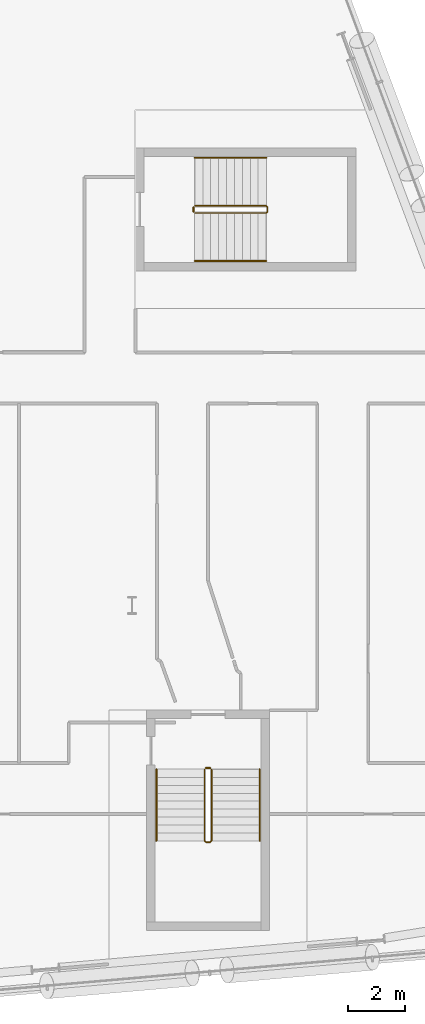
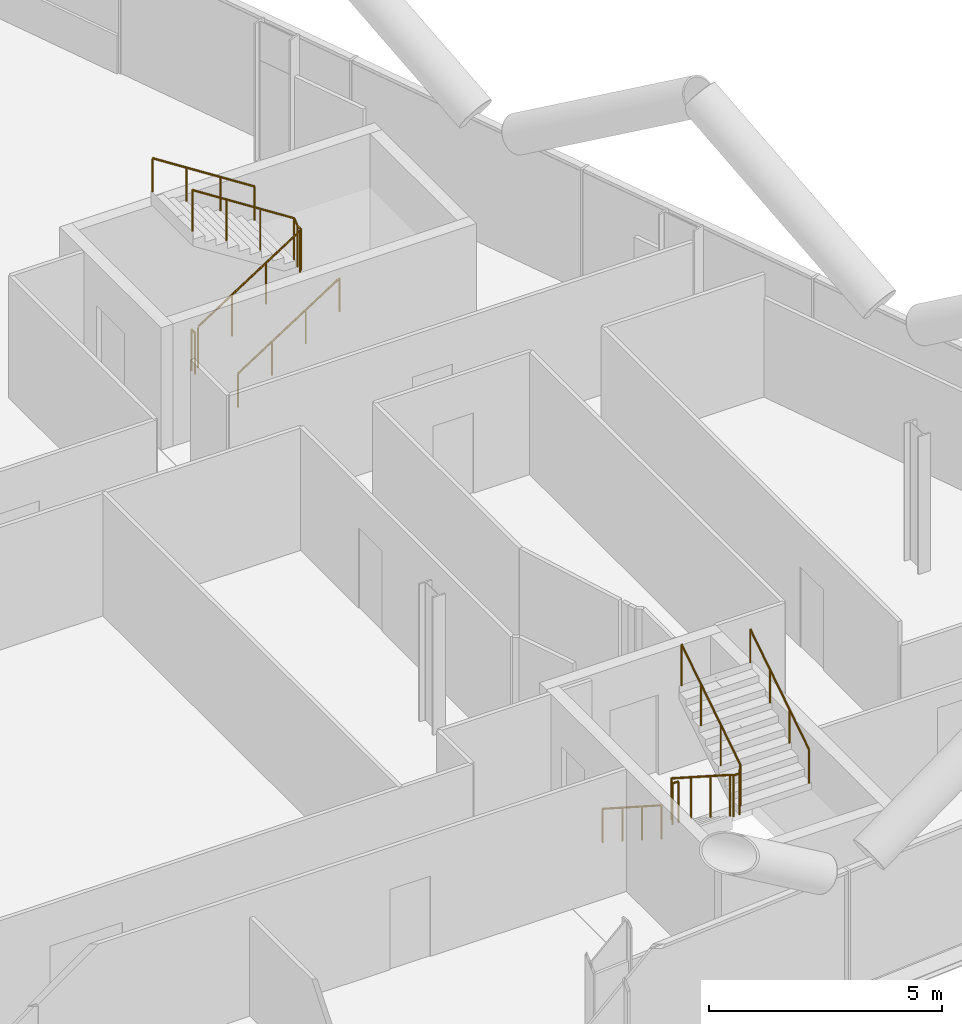
# One storey, part 27 of 27: 8 railings.
"""IFC4 building model written with IfcOpenShell, lengths in metres."""

from ifc_helpers import new_model, si_unit, direction, frame, origin, origin_2d, place, context, subcontext, project, spatial, circle, extrude, material, type_object, element, save


model = new_model("IFC4")

# Units and contexts
model_context = context("Model", 3, precision=1e-05, world=origin(), true_north=direction((0.0, 1.0)))
body_context = subcontext(model_context, "Body", "Model", "MODEL_VIEW")
ifc_project = project(units=[si_unit("LENGTHUNIT", "METRE"), si_unit("AREAUNIT", "SQUARE_METRE"), si_unit("VOLUMEUNIT", "CUBIC_METRE"), si_unit("PLANEANGLEUNIT", "RADIAN"), si_unit("MASSUNIT", "GRAM", prefix="KILO")], contexts=[model_context])

# Site, building, storey
site_placement = place(None, origin())
site = spatial("IfcSite", under=ifc_project, at=site_placement, CompositionType="ELEMENT")
building_placement = place(site_placement, origin())
building = spatial("IfcBuilding", under=site, at=building_placement, Name="Wharfspan Tower", CompositionType="ELEMENT")
storey_placement = place(building_placement, frame((0.0, 0.0, 55.899902)))
storey = spatial("IfcBuildingStorey", under=building, at=storey_placement, Name="L10", CompositionType="ELEMENT", Elevation=55.899902)

# Railings
ifc_material = material(Name="Steel S355J2", Category="steel")
railing_type_1 = type_object("IfcRailingType", Name="Stair guard 1100", PredefinedType="GUARDRAIL", material=ifc_material)
railing_1_placement = place(storey_placement, frame((74.567383, 5.691895, 0.180176)))
element("IfcRailing", 1, at=railing_1_placement, inside=storey, type_object=railing_type_1, Name="L10 ST5 stair guard 1", PredefinedType="GUARDRAIL", context=body_context, shape_type="SweptSolid", body=[
    extrude(circle(Radius=0.023926, at=origin_2d()), frame((0.0, 0.0, 1.076172), z_axis=(0.0, -0.841176, 0.540762), x_axis=(1.0, 0.0, 0.0)), (0.0, 0.0, 1.0), 2.995605),
    extrude(circle(Radius=0.023926, at=origin_2d()), frame((0.0, -2.519775, 2.695801), z_axis=(0.707107, -0.707107, 0.0), x_axis=(0.707107, 0.707107, 0.0)), (0.0, 0.0, 1.0), 0.070801),
    extrude(circle(Radius=0.023926, at=origin_2d()), frame((0.050049, -2.569824, 2.695801), z_axis=(1.0, 0.0, 0.0), x_axis=(0.0, 1.0, 0.0)), (0.0, 0.0, 1.0), 0.150146),
    extrude(circle(Radius=0.023926, at=origin_2d()), frame((0.200195, -2.569824, 2.695801), z_axis=(0.257669, 0.258932, 0.930892), x_axis=(-0.708833, 0.705372, 1e-06)), (0.0, 0.0, 1.0), 0.193359),
    extrude(circle(Radius=0.023926, at=origin_2d()), frame((0.25, -2.519775, 2.875977), z_axis=(0.0, 0.841139, 0.540819), x_axis=(-1.0, 0.0, 0.0)), (0.0, 0.0, 1.0), 2.995605),
    extrude(circle(Radius=0.020996, at=origin_2d()), origin(), (0.0, 0.0, 1.0), 1.052002),
    extrude(circle(Radius=0.020996, at=origin_2d()), frame((0.0, -0.839844, 0.540039)), (0.0, 0.0, 1.0), 1.052002),
    extrude(circle(Radius=0.020996, at=origin_2d()), frame((0.0, -1.679932, 1.079834)), (0.0, 0.0, 1.0), 1.052002),
    extrude(circle(Radius=0.020996, at=origin_2d()), frame((0.0, -2.519775, 1.619873)), (0.0, 0.0, 1.0), 1.052002),
    extrude(circle(Radius=0.020996, at=origin_2d()), frame((0.050049, -2.569824, 1.619873)), (0.0, 0.0, 1.0), 1.052002),
    extrude(circle(Radius=0.020996, at=origin_2d()), frame((0.200195, -2.569824, 1.619873)), (0.0, 0.0, 1.0), 1.052002),
    extrude(circle(Radius=0.020996, at=origin_2d()), frame((0.25, -2.519775, 1.799805)), (0.0, 0.0, 1.0), 1.052002),
    extrude(circle(Radius=0.020996, at=origin_2d()), frame((0.25, -1.679932, 2.339844)), (0.0, 0.0, 1.0), 1.052002),
    extrude(circle(Radius=0.020996, at=origin_2d()), frame((0.25, -0.839844, 2.879883)), (0.0, 0.0, 1.0), 1.052002),
    extrude(circle(Radius=0.020996, at=origin_2d()), frame((0.25, 0.0, 3.419922)), (0.0, 0.0, 1.0), 1.052002),
])
railing_2_placement = place(storey_placement, frame((74.617432, 5.741943, 0.0)))
element("IfcRailing", 2, at=railing_2_placement, inside=storey, type_object=railing_type_1, Name="L10 ST5 stair guard 2", PredefinedType="GUARDRAIL", context=body_context, shape_type="SweptSolid", body=[
    extrude(circle(Radius=0.023926, at=origin_2d()), frame((0.0, 0.0, 1.076172), z_axis=(1.0, 0.0, 0.0), x_axis=(0.0, 1.0, 0.0)), (0.0, 0.0, 1.0), 0.150146),
    extrude(circle(Radius=0.020996, at=origin_2d()), origin(), (0.0, 0.0, 1.0), 1.052002),
    extrude(circle(Radius=0.020996, at=origin_2d()), frame((0.150146, 0.0, 0.0)), (0.0, 0.0, 1.0), 1.052002),
])
railing_3_placement = place(storey_placement, frame((74.225098, 25.375, 0.180176)))
element("IfcRailing", 3, at=railing_3_placement, inside=storey, type_object=railing_type_1, Name="L10 ST6 stair guard 1", PredefinedType="GUARDRAIL", context=body_context, shape_type="SweptSolid", body=[
    extrude(circle(Radius=0.023926, at=origin_2d()), frame((0.0, 0.0, 1.076172), z_axis=(0.8412, 0.0, 0.540725), x_axis=(0.0, 1.0, 0.0)), (0.0, 0.0, 1.0), 2.99585),
    extrude(circle(Radius=0.023926, at=origin_2d()), frame((2.52002, 0.0, 2.695801), z_axis=(0.705376, 0.708834, 0.0), x_axis=(-0.708834, 0.705376, 0.0)), (0.0, 0.0, 1.0), 0.070557),
    extrude(circle(Radius=0.023926, at=origin_2d()), frame((2.569824, 0.050049, 2.695801), z_axis=(0.0, 1.0, 0.0), x_axis=(-1.0, 0.0, 0.0)), (0.0, 0.0, 1.0), 0.149902),
    extrude(circle(Radius=0.023926, at=origin_2d()), frame((2.569824, 0.199951, 2.695801), z_axis=(-0.257669, 0.258932, 0.930892), x_axis=(-0.708833, -0.705372, -1e-06)), (0.0, 0.0, 1.0), 0.193359),
    extrude(circle(Radius=0.023926, at=origin_2d()), frame((2.52002, 0.25, 2.875977), z_axis=(-0.841163, 0.0, 0.540782), x_axis=(0.0, -1.0, 0.0)), (0.0, 0.0, 1.0), 2.99585),
    extrude(circle(Radius=0.020996, at=origin_2d()), origin(), (0.0, 0.0, 1.0), 1.052002),
    extrude(circle(Radius=0.020996, at=origin_2d()), frame((0.840088, 0.0, 0.540039)), (0.0, 0.0, 1.0), 1.052002),
    extrude(circle(Radius=0.020996, at=origin_2d()), frame((1.679932, 0.0, 1.079834)), (0.0, 0.0, 1.0), 1.052002),
    extrude(circle(Radius=0.020996, at=origin_2d()), frame((2.52002, 0.0, 1.619873)), (0.0, 0.0, 1.0), 1.052002),
    extrude(circle(Radius=0.020996, at=origin_2d()), frame((2.569824, 0.050049, 1.619873)), (0.0, 0.0, 1.0), 1.052002),
    extrude(circle(Radius=0.020996, at=origin_2d()), frame((2.569824, 0.199951, 1.619873)), (0.0, 0.0, 1.0), 1.052002),
    extrude(circle(Radius=0.020996, at=origin_2d()), frame((2.52002, 0.25, 1.799805)), (0.0, 0.0, 1.0), 1.052002),
    extrude(circle(Radius=0.020996, at=origin_2d()), frame((1.679932, 0.25, 2.339844)), (0.0, 0.0, 1.0), 1.052002),
    extrude(circle(Radius=0.020996, at=origin_2d()), frame((0.840088, 0.25, 2.879883)), (0.0, 0.0, 1.0), 1.052002),
    extrude(circle(Radius=0.020996, at=origin_2d()), frame((0.0, 0.25, 3.419922)), (0.0, 0.0, 1.0), 1.052002),
])
railing_4_placement = place(storey_placement, frame((74.175049, 25.425049, 0.0)))
element("IfcRailing", 4, at=railing_4_placement, inside=storey, type_object=railing_type_1, Name="L10 ST6 stair guard 2", PredefinedType="GUARDRAIL", context=body_context, shape_type="SweptSolid", body=[
    extrude(circle(Radius=0.023926, at=origin_2d()), frame((0.0, 0.0, 1.076172), z_axis=(0.0, 1.0, 0.0), x_axis=(-1.0, 0.0, 0.0)), (0.0, 0.0, 1.0), 0.149902),
    extrude(circle(Radius=0.020996, at=origin_2d()), origin(), (0.0, 0.0, 1.0), 1.052002),
    extrude(circle(Radius=0.020996, at=origin_2d()), frame((0.0, 0.149902, 0.0)), (0.0, 0.0, 1.0), 1.052002),
])
railing_type_2 = type_object("IfcRailingType", Name="Stair handrail 900", PredefinedType="HANDRAIL", material=ifc_material)
railing_5_placement = place(storey_placement, frame((72.867432, 5.691895, 0.180176)))
element("IfcRailing", 5, at=railing_5_placement, inside=storey, type_object=railing_type_2, Name="L10 ST5 stair handrail 1", PredefinedType="HANDRAIL", context=body_context, shape_type="SweptSolid", body=[
    extrude(circle(Radius=0.023926, at=origin_2d()), frame((0.0, 0.0, 0.875977), z_axis=(0.0, -0.841176, 0.540762), x_axis=(1.0, 0.0, 0.0)), (0.0, 0.0, 1.0), 2.995605),
    extrude(circle(Radius=0.020996, at=origin_2d()), origin(), (0.0, 0.0, 1.0), 0.851807),
    extrude(circle(Radius=0.020996, at=origin_2d()), frame((0.0, -0.839844, 0.540039)), (0.0, 0.0, 1.0), 0.851807),
    extrude(circle(Radius=0.020996, at=origin_2d()), frame((0.0, -1.679932, 1.079834)), (0.0, 0.0, 1.0), 0.851807),
    extrude(circle(Radius=0.020996, at=origin_2d()), frame((0.0, -2.519775, 1.619873)), (0.0, 0.0, 1.0), 0.851807),
])
railing_6_placement = place(storey_placement, frame((76.517578, 3.172119, 1.97998)))
element("IfcRailing", 6, at=railing_6_placement, inside=storey, type_object=railing_type_2, Name="L10 ST5 stair handrail 2", PredefinedType="HANDRAIL", context=body_context, shape_type="SweptSolid", body=[
    extrude(circle(Radius=0.023926, at=origin_2d()), frame((0.0, 0.0, 0.875977), z_axis=(0.0, 0.841139, 0.540819), x_axis=(-1.0, 0.0, 0.0)), (0.0, 0.0, 1.0), 2.995605),
    extrude(circle(Radius=0.020996, at=origin_2d()), origin(), (0.0, 0.0, 1.0), 0.851807),
    extrude(circle(Radius=0.020996, at=origin_2d()), frame((0.0, 0.839844, 0.540039)), (0.0, 0.0, 1.0), 0.851807),
    extrude(circle(Radius=0.020996, at=origin_2d()), frame((0.0, 1.679932, 1.080078)), (0.0, 0.0, 1.0), 0.851807),
    extrude(circle(Radius=0.020996, at=origin_2d()), frame((0.0, 2.519775, 1.620117)), (0.0, 0.0, 1.0), 0.851807),
])
railing_7_placement = place(storey_placement, frame((74.225098, 23.675049, 0.180176)))
element("IfcRailing", 7, at=railing_7_placement, inside=storey, type_object=railing_type_2, Name="L10 ST6 stair handrail 1", PredefinedType="HANDRAIL", context=body_context, shape_type="SweptSolid", body=[
    extrude(circle(Radius=0.023926, at=origin_2d()), frame((0.0, 0.0, 0.875977), z_axis=(0.8412, 0.0, 0.540725), x_axis=(0.0, 1.0, 0.0)), (0.0, 0.0, 1.0), 2.99585),
    extrude(circle(Radius=0.020996, at=origin_2d()), origin(), (0.0, 0.0, 1.0), 0.851807),
    extrude(circle(Radius=0.020996, at=origin_2d()), frame((0.840088, 0.0, 0.540039)), (0.0, 0.0, 1.0), 0.851807),
    extrude(circle(Radius=0.020996, at=origin_2d()), frame((1.679932, 0.0, 1.079834)), (0.0, 0.0, 1.0), 0.851807),
    extrude(circle(Radius=0.020996, at=origin_2d()), frame((2.52002, 0.0, 1.619873)), (0.0, 0.0, 1.0), 0.851807),
])
railing_8_placement = place(storey_placement, frame((76.745117, 27.324951, 1.97998)))
element("IfcRailing", 8, at=railing_8_placement, inside=storey, type_object=railing_type_2, Name="L10 ST6 stair handrail 2", PredefinedType="HANDRAIL", context=body_context, shape_type="SweptSolid", body=[
    extrude(circle(Radius=0.023926, at=origin_2d()), frame((0.0, 0.0, 0.875977), z_axis=(-0.841163, 0.0, 0.540782), x_axis=(0.0, -1.0, 0.0)), (0.0, 0.0, 1.0), 2.99585),
    extrude(circle(Radius=0.020996, at=origin_2d()), origin(), (0.0, 0.0, 1.0), 0.851807),
    extrude(circle(Radius=0.020996, at=origin_2d()), frame((-0.840088, 0.0, 0.540039)), (0.0, 0.0, 1.0), 0.851807),
    extrude(circle(Radius=0.020996, at=origin_2d()), frame((-1.679932, 0.0, 1.080078)), (0.0, 0.0, 1.0), 0.851807),
    extrude(circle(Radius=0.020996, at=origin_2d()), frame((-2.52002, 0.0, 1.620117)), (0.0, 0.0, 1.0), 0.851807),
])

save(model, "model.ifc")
